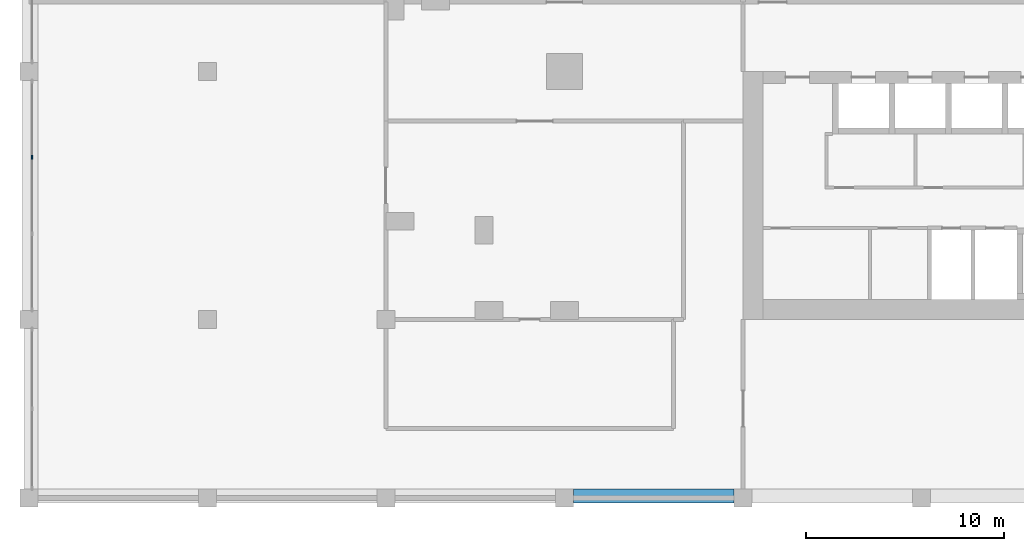
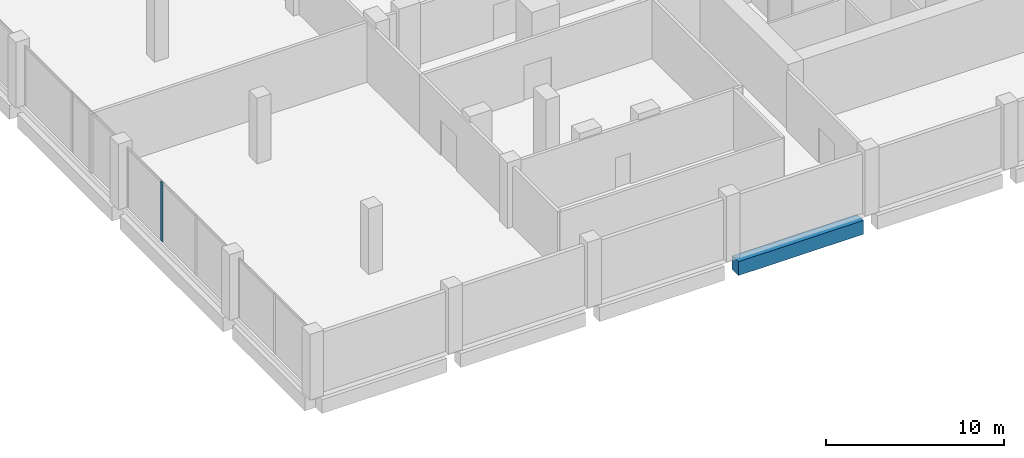
# One storey, part 3 of 22: 1 beam, 1 member, 1 element without a shape of its own.
"""IFC4 building model written with IfcOpenShell, lengths in metres."""

from ifc_helpers import new_model, si_unit, direction, frame, origin, origin_2d, place, context, subcontext, project, spatial, rectangle, extrude, material, layer, layer_set, material_profile, profile_set, type_object, element, aggregate, save


model = new_model("IFC4")

# Units and contexts
model_context = context("Model", 3, precision=1e-05, world=origin(), true_north=direction((0.0, 1.0)))
body_context = subcontext(model_context, "Body", "Model", "MODEL_VIEW")
ifc_project = project(units=[si_unit("LENGTHUNIT", "METRE"), si_unit("AREAUNIT", "SQUARE_METRE"), si_unit("VOLUMEUNIT", "CUBIC_METRE"), si_unit("PLANEANGLEUNIT", "RADIAN"), si_unit("MASSUNIT", "GRAM", prefix="KILO")], contexts=[model_context])

# Site, building, storey
site_placement = place(None, origin())
site = spatial("IfcSite", under=ifc_project, at=site_placement, CompositionType="ELEMENT")
building_placement = place(site_placement, origin())
building = spatial("IfcBuilding", under=site, at=building_placement, Name="Brigalow Station Residences", CompositionType="ELEMENT")
storey_placement = place(building_placement, frame((0.0, 0.0, 6.5)))
storey = spatial("IfcBuildingStorey", under=building, at=storey_placement, Name="L01", CompositionType="ELEMENT", Elevation=6.5)

# Beam
ifc_material_1 = material(Name="Concrete C65", Category="concrete")
ifc_material_profile_1 = material_profile(ifc_material_1, rectangle(XDim=0.699951171875, YDim=0.949951171875, at=origin_2d()), Name="RC700x950")
ifc_profile_set_1 = profile_set([ifc_material_profile_1], Name="Concrete C65")
beam_type = type_object("IfcBeamType", Name="EDGE GIRDER 4.5 TO 9.9 M SPAN 700x950 C65", PredefinedType="BEAM", material=ifc_profile_set_1)
beam_placement = place(storey_placement, frame((9.449951171875, -8.89990234375, -0.876953125), z_axis=(1.0, 0.0, 0.0), x_axis=(0.0, 1.0, 0.0)))
element("IfcBeam", 1, at=beam_placement, inside=storey, type_object=beam_type, Name="PODIUM EDGE GIRDER S4 L01", PredefinedType="BEAM", context=body_context, shape_type="SweptSolid", body=[
    extrude(rectangle(XDim=0.699951171875, YDim=0.949951171875, at=origin_2d()), origin(), (0.0, 0.0, 1.0), 8.10009765625),
])

# Curtain wall, member
ifc_material_2 = material(Name="Aluminium", Category="aluminium")
ifc_layer = layer(ifc_material_2, 0.199951171875)
ifc_layer_set = layer_set([ifc_layer], Name="PODIUM UNITISED GLAZING CURTAIN WALL")
curtain_wall_type = type_object("IfcCurtainWallType", Name="PODIUM UNITISED GLAZING CURTAIN WALL", PredefinedType="NOTDEFINED", material=ifc_layer_set)
curtain_wall_placement = place(storey_placement, origin())
curtain_wall = element("IfcCurtainWall", 2, at=curtain_wall_placement, inside=storey, type_object=curtain_wall_type, Name="L01/cw/podium-W-L01-31-21", PredefinedType="NOTDEFINED")
ifc_material_3 = material(Name="Aluminium", Category="aluminium")
ifc_material_profile_2 = material_profile(ifc_material_3, rectangle(XDim=0.06494140625, YDim=0.199951171875, at=origin_2d()), Name="PODIUM UNITISED GLAZING MULLION 65x200")
ifc_profile_set_2 = profile_set([ifc_material_profile_2], Name="Aluminium")
member_type = type_object("IfcMemberType", Name="PODIUM UNITISED GLAZING MULLION 65x200", PredefinedType="MULLION", material=ifc_profile_set_2)
member_placement = place(storey_placement, frame((-17.85009765625, 8.183349609375, 0.0), z_axis=(0.0, 0.0, 1.0), x_axis=(1.0, 0.0, 0.0)))
member = element("IfcMember", 3, at=member_placement, type_object=member_type, Name="L01/cw/podium-W-L01-31-21/M01", PredefinedType="MULLION", context=body_context, shape_type="SweptSolid", body=[
    extrude(rectangle(XDim=0.06494140625, YDim=0.199951171875, at=origin_2d()), origin(), (0.0, 0.0, 1.0), 4.097900390625),
])
aggregate(curtain_wall, [member])

save(model, "model.ifc")
